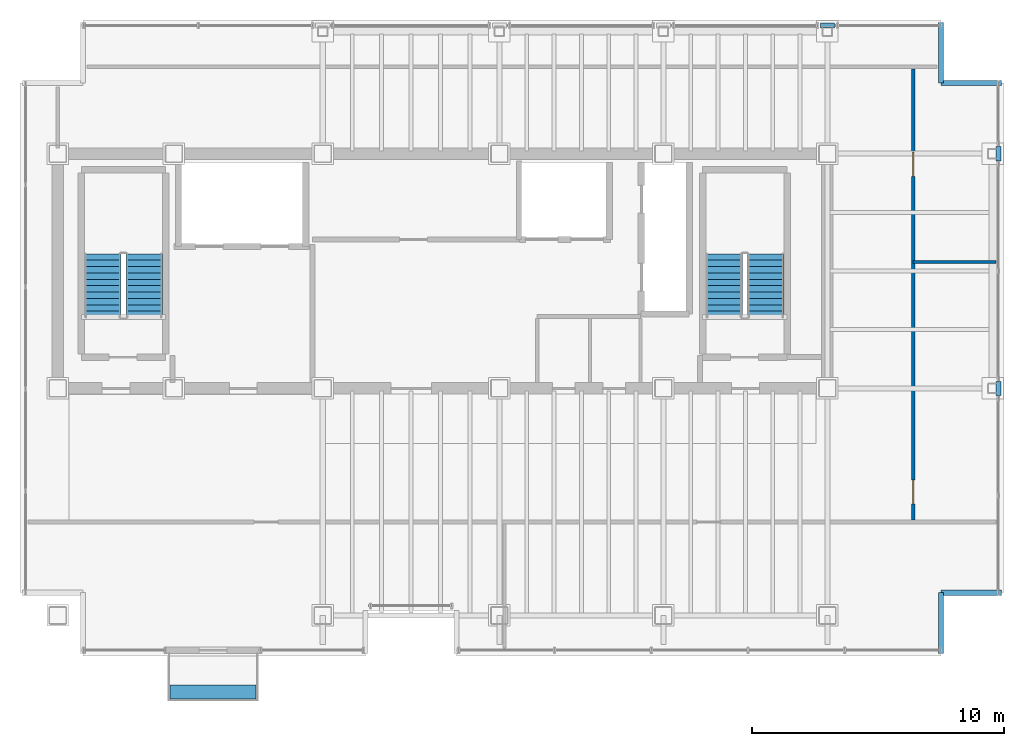
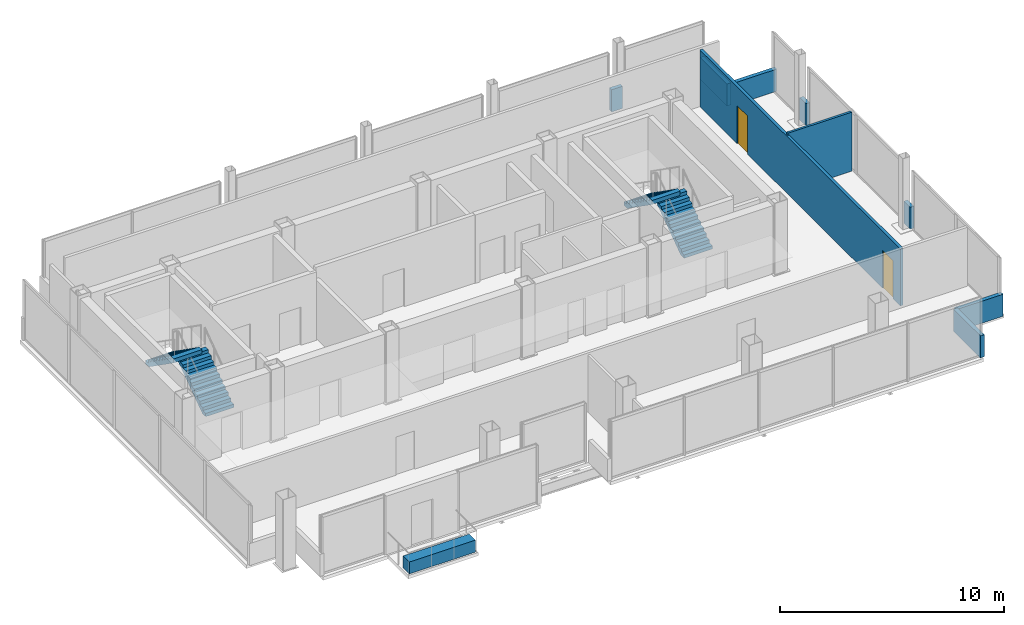
# One storey, part 16 of 17: 9 walls, 4 stair flights, 2 doors, 1 discrete accessory, 2 openings, 2 elements without a shape of their own.
"""IFC4 building model written with IfcOpenShell, lengths in metres."""

from ifc_helpers import new_model, si_unit, direction, frame, frame_2d, origin, origin_2d, place, context, subcontext, project, spatial, polyline, rectangle, outline, extrude, material, layer, layer_set, type_object, element, fill, aggregate, save


model = new_model("IFC4")

# Units and contexts
model_context = context("Model", 3, precision=1e-05, world=origin(), true_north=direction((0.0, 1.0)))
body_context = subcontext(model_context, "Body", "Model", "MODEL_VIEW")
ifc_project = project(units=[si_unit("LENGTHUNIT", "METRE"), si_unit("AREAUNIT", "SQUARE_METRE"), si_unit("VOLUMEUNIT", "CUBIC_METRE"), si_unit("PLANEANGLEUNIT", "RADIAN"), si_unit("MASSUNIT", "GRAM", prefix="KILO")], contexts=[model_context])

# Site, building, storey
site_placement = place(None, origin())
site = spatial("IfcSite", under=ifc_project, at=site_placement, CompositionType="ELEMENT")
building_placement = place(site_placement, origin())
building = spatial("IfcBuilding", under=site, at=building_placement, Name="Noeulbin Bourse Tower", CompositionType="ELEMENT")
storey_placement = place(building_placement, frame((0.0, 0.0, 285.199951171875)))
storey = spatial("IfcBuildingStorey", under=building, at=storey_placement, Name="L71", CompositionType="ELEMENT", Elevation=285.199951171875)

# Walls
ifc_material_1 = material(Name="Concrete C40/50", Category="concrete")
ifc_layer_1 = layer(ifc_material_1, 0.199951171875)
ifc_layer_set_1 = layer_set([ifc_layer_1], Name="Concrete C40/50")
wall_type_1 = type_object("IfcWallType", Name="WAL-PAR-200", PredefinedType="PARAPET", material=ifc_layer_set_1)
for number, where, z_axis, x_axis, name in (
    (1, (43.719970703125, 43.3798828125, 0.0), (0.0, 0.0, 1.0), (1.0, 0.0, 0.0), "Perimeter Pier Spandrel Parapet L71-N4"),
    (2, (50.780029296875, 28.719970703125, 0.0), (0.0, 0.0, 1.0), (0.0, 1.0, 0.0), "Perimeter Pier Spandrel Parapet L71-E5"),
    (3, (50.780029296875, 38.02001953125, 0.0), (0.0, 0.0, 1.0), (0.0, 1.0, 0.0), "Perimeter Pier Spandrel Parapet L71-E6"),
):
    element("IfcWall", number, at=place(storey_placement, frame(where, z_axis=z_axis, x_axis=x_axis)), inside=storey, type_object=wall_type_1, Name=name, PredefinedType="PARAPET", context=body_context, shape_type="SweptSolid", body=[
        extrude(rectangle(XDim=0.56005859375, YDim=0.199951171875, at=frame_2d((0.280029296875, 0.0))), origin(), (0.0, 0.0, 1.0), 1.199951171875),
    ])
for number, where, z_axis, x_axis, name in (
    (4, (48.5, 18.5, 0.0), (0.0, 0.0, 1.0), (0.0, 1.0, 0.0), "Corner Notch Parapet L71-SE1"),
    (5, (48.5, 20.89990234375, 0.0), (0.0, 0.0, 1.0), (1.0, 0.0, 0.0), "Corner Notch Parapet L71-SE2"),
    (6, (48.5, 43.5, 0.0), (0.0, 0.0, 1.0), (0.0, -1.0, 0.0), "Corner Notch Parapet L71-NE1"),
    (7, (48.5, 41.10009765625, 0.0), (0.0, 0.0, 1.0), (1.0, 0.0, 0.0), "Corner Notch Parapet L71-NE2"),
):
    element("IfcWall", number, at=place(storey_placement, frame(where, z_axis=z_axis, x_axis=x_axis)), inside=storey, type_object=wall_type_1, Name=name, PredefinedType="PARAPET", context=body_context, shape_type="SweptSolid", body=[
        extrude(rectangle(XDim=2.39990234375, YDim=0.199951171875, at=frame_2d((1.199951171875, 0.0))), origin(), (0.0, 0.0, 1.0), 1.199951171875),
    ])
ifc_material_2 = material(Name="Steel Stud Gypsum Partition", Category="steel")
ifc_layer_2 = layer(ifc_material_2, 0.1201171875)
ifc_layer_set_2 = layer_set([ifc_layer_2], Name="Steel Stud Gypsum Partition")
wall_type_2 = type_object("IfcWallType", Name="WAL-PRT-120", PredefinedType="PARTITIONING", material=ifc_layer_set_2)
wall_1_placement = place(storey_placement, frame((47.39990234375, 34.0, 0.0), z_axis=(0.0, 0.0, 1.0), x_axis=(1.0, 0.0, 0.0)))
element("IfcWall", 8, at=wall_1_placement, inside=storey, type_object=wall_type_2, Name="Interior Partition Wall L71-05", PredefinedType="PARTITIONING", context=body_context, shape_type="SweptSolid", body=[
    extrude(rectangle(XDim=3.2900390625, YDim=0.1201171875, at=frame_2d((1.64501953125, 0.0))), origin(), (0.0, 0.0, 1.0), 3.212158203125),
])

# Wall, openings, doors
ifc_material_3 = material(Name="Steel Stud Acoustic Gypsum Board", Category="steel")
ifc_layer_3 = layer(ifc_material_3, 0.14990234375)
ifc_layer_set_3 = layer_set([ifc_layer_3], Name="Steel Stud Acoustic Gypsum Board")
wall_type_3 = type_object("IfcWallType", Name="WAL-PRT-150", PredefinedType="PARTITIONING", material=ifc_layer_set_3)
wall_2_placement = place(storey_placement, frame((47.39990234375, 23.784912109375, 0.0), z_axis=(0.0, 0.0, 1.0), x_axis=(0.0, 1.0, 0.0)))
wall_2 = element("IfcWall", 9, at=wall_2_placement, inside=storey, type_object=wall_type_3, Name="Interior Partition Wall L71-13", PredefinedType="PARTITIONING", context=body_context, shape_type="SweptSolid", body=[
    extrude(rectangle(XDim=17.880126953125, YDim=0.14990234375, at=frame_2d((8.93994140625, 0.0))), origin(), (0.0, 0.0, 1.0), 3.10009765625),
])
opening_1_placement = place(wall_2_placement, frame((0.639892578125, 0.0, 0.0)))
opening_1 = element("IfcOpeningElement", 10, at=opening_1_placement, cuts=wall_2, Name="Opening ID-09", PredefinedType="OPENING", context=body_context, shape_type="SweptSolid", body=[
    extrude(rectangle(XDim=0.949951171875, YDim=2.080078125, at=frame_2d((0.47509765625, 1.0400390625))), frame((0.0, 0.0849609375, 0.0), z_axis=(0.0, -1.0, 0.0), x_axis=(1.0, 0.0, 0.0)), (0.0, 0.0, 1.0), 0.169921875),
])
opening_2_placement = place(wall_2_placement, frame((13.614990234375, 0.0, 0.0)))
opening_2 = element("IfcOpeningElement", 11, at=opening_2_placement, cuts=wall_2, Name="Opening ID-09", PredefinedType="OPENING", context=body_context, shape_type="SweptSolid", body=[
    extrude(rectangle(XDim=0.949951171875, YDim=2.080078125, at=frame_2d((0.47509765625, 1.0400390625))), frame((0.0, 0.0849609375, 0.0), z_axis=(0.0, -1.0, 0.0), x_axis=(1.0, 0.0, 0.0)), (0.0, 0.0, 1.0), 0.169921875),
])
ifc_material_4 = material(Name="Acoustic Solid-Core Timber", Category="wood")
door_type = type_object("IfcDoorType", Name="DR-SINGLE-950", OperationType="SINGLE_SWING_LEFT", PredefinedType="DOOR", material=ifc_material_4)
door_1_placement = place(opening_1_placement, origin())
door_1 = element("IfcDoor", 12, at=door_1_placement, inside=storey, type_object=door_type, Name="Interior Door L71-10", OperationType="SINGLE_SWING_RIGHT", OverallHeight=2.080078125, OverallWidth=0.949951171875, PredefinedType="DOOR", context=body_context, shape_type="SweptSolid", body=[
    extrude(rectangle(XDim=0.949951171875, YDim=2.080078125, at=frame_2d((0.47509765625, 1.0400390625))), frame((0.0, 0.02490234375, 0.0), z_axis=(0.0, -1.0, 0.0), x_axis=(1.0, 0.0, 0.0)), (0.0, 0.0, 1.0), 0.050048828125),
])
fill(opening_1, door_1)
door_2_placement = place(opening_2_placement, origin())
door_2 = element("IfcDoor", 13, at=door_2_placement, inside=storey, type_object=door_type, Name="Interior Door L71-11", OperationType="SINGLE_SWING_LEFT", OverallHeight=2.080078125, OverallWidth=0.949951171875, PredefinedType="DOOR", context=body_context, shape_type="SweptSolid", body=[
    extrude(rectangle(XDim=0.949951171875, YDim=2.080078125, at=frame_2d((0.47509765625, 1.0400390625))), frame((0.0, 0.02490234375, 0.0), z_axis=(0.0, -1.0, 0.0), x_axis=(1.0, 0.0, 0.0)), (0.0, 0.0, 1.0), 0.050048828125),
])
fill(opening_2, door_2)

# Stair, stair flights
stair_type = type_object("IfcStairType", Name="STR-CORE-1560", PredefinedType="HALF_TURN_STAIR", material=ifc_material_1)
stair_1_placement = place(storey_placement, origin())
stair_1 = element("IfcStair", 14, at=stair_1_placement, inside=storey, type_object=stair_type, Name="L71 ST-1", PredefinedType="HALF_TURN_STAIR")
stair_flight_type = type_object("IfcStairFlightType", Name="SFL-CORE-1560", PredefinedType="STRAIGHT", material=ifc_material_1)
stair_flight_1_placement = place(storey_placement, frame((16.925048828125, 31.81005859375, 0.0), z_axis=(0.0, 0.0, 1.0), x_axis=(0.0, 1.0, 0.0)))
stair_flight_1 = element("IfcStairFlight", 15, at=stair_flight_1_placement, type_object=stair_flight_type, Name="ST-1 flight 1", NumberOfRisers=11, NumberOfTreads=10, PredefinedType="STRAIGHT", RiserHeight=0.177272727, TreadLength=0.252, context=body_context, shape_type="SweptSolid", body=[
    extrude(outline(polyline([(0.0, 0.0), (0.0, 0.17724609375), (0.251953125, 0.17724609375), (0.251953125, 0.3544921875), (0.50390625, 0.3544921875), (0.50390625, 0.53173828125), (0.756103515625, 0.53173828125), (0.756103515625, 0.708984375), (1.008056640625, 0.708984375), (1.008056640625, 0.886474609375), (1.260009765625, 0.886474609375), (1.260009765625, 1.063720703125), (1.511962890625, 1.063720703125), (1.511962890625, 1.240966796875), (1.763916015625, 1.240966796875), (1.763916015625, 1.418212890625), (2.01611328125, 1.418212890625), (2.01611328125, 1.595458984375), (2.26806640625, 1.595458984375), (2.26806640625, 1.772705078125), (2.52001953125, 1.772705078125), (2.52001953125, 1.949951171875), (2.52001953125, 1.552734375), (0.312744140625, 0.0), (0.0, 0.0)])), frame((0.0, 0.72509765625, 0.0), z_axis=(0.0, -1.0, 0.0), x_axis=(1.0, 0.0, 0.0)), (0.0, 0.0, 1.0), 1.449951171875),
])
stair_flight_2_placement = place(storey_placement, frame((15.27490234375, 34.330078125, 1.949951171875), z_axis=(0.0, 0.0, 1.0), x_axis=(0.0, -1.0, 0.0)))
stair_flight_2 = element("IfcStairFlight", 16, at=stair_flight_2_placement, type_object=stair_flight_type, Name="ST-1 flight 2", NumberOfRisers=11, NumberOfTreads=10, PredefinedType="STRAIGHT", RiserHeight=0.177272727, TreadLength=0.252, context=body_context, shape_type="SweptSolid", body=[
    extrude(outline(polyline([(0.0, 0.0), (0.0, 0.17724609375), (0.251953125, 0.17724609375), (0.251953125, 0.3544921875), (0.50390625, 0.3544921875), (0.50390625, 0.53173828125), (0.756103515625, 0.53173828125), (0.756103515625, 0.708984375), (1.008056640625, 0.708984375), (1.008056640625, 0.886474609375), (1.260009765625, 0.886474609375), (1.260009765625, 1.063720703125), (1.511962890625, 1.063720703125), (1.511962890625, 1.240966796875), (1.763916015625, 1.240966796875), (1.763916015625, 1.418212890625), (2.01611328125, 1.418212890625), (2.01611328125, 1.595458984375), (2.26806640625, 1.595458984375), (2.26806640625, 1.772705078125), (2.52001953125, 1.772705078125), (2.52001953125, 1.949951171875), (2.52001953125, 1.552734375), (0.312744140625, 0.0), (0.0, 0.0)])), frame((0.0, 0.72509765625, 0.0), z_axis=(0.0, -1.0, 0.0), x_axis=(1.0, 0.0, 0.0)), (0.0, 0.0, 1.0), 1.449951171875),
])
aggregate(stair_1, [stair_flight_1, stair_flight_2])

stair_2_placement = place(storey_placement, origin())
stair_2 = element("IfcStair", 17, at=stair_2_placement, inside=storey, type_object=stair_type, Name="L71 ST-2", PredefinedType="HALF_TURN_STAIR")
stair_flight_3_placement = place(storey_placement, frame((41.554931640625, 31.81005859375, 0.0), z_axis=(0.0, 0.0, 1.0), x_axis=(0.0, 1.0, 0.0)))
stair_flight_3 = element("IfcStairFlight", 18, at=stair_flight_3_placement, type_object=stair_flight_type, Name="ST-2 flight 1", NumberOfRisers=11, NumberOfTreads=10, PredefinedType="STRAIGHT", RiserHeight=0.177272727, TreadLength=0.252, context=body_context, shape_type="SweptSolid", body=[
    extrude(outline(polyline([(0.0, 0.0), (0.0, 0.17724609375), (0.251953125, 0.17724609375), (0.251953125, 0.3544921875), (0.50390625, 0.3544921875), (0.50390625, 0.53173828125), (0.756103515625, 0.53173828125), (0.756103515625, 0.708984375), (1.008056640625, 0.708984375), (1.008056640625, 0.886474609375), (1.260009765625, 0.886474609375), (1.260009765625, 1.063720703125), (1.511962890625, 1.063720703125), (1.511962890625, 1.240966796875), (1.763916015625, 1.240966796875), (1.763916015625, 1.418212890625), (2.01611328125, 1.418212890625), (2.01611328125, 1.595458984375), (2.26806640625, 1.595458984375), (2.26806640625, 1.772705078125), (2.52001953125, 1.772705078125), (2.52001953125, 1.949951171875), (2.52001953125, 1.552734375), (0.312744140625, 0.0), (0.0, 0.0)])), frame((0.0, 0.72509765625, 0.0), z_axis=(0.0, -1.0, 0.0), x_axis=(1.0, 0.0, 0.0)), (0.0, 0.0, 1.0), 1.449951171875),
])
stair_flight_4_placement = place(storey_placement, frame((39.905029296875, 34.330078125, 1.949951171875), z_axis=(0.0, 0.0, 1.0), x_axis=(0.0, -1.0, 0.0)))
stair_flight_4 = element("IfcStairFlight", 19, at=stair_flight_4_placement, type_object=stair_flight_type, Name="ST-2 flight 2", NumberOfRisers=11, NumberOfTreads=10, PredefinedType="STRAIGHT", RiserHeight=0.177272727, TreadLength=0.252, context=body_context, shape_type="SweptSolid", body=[
    extrude(outline(polyline([(0.0, 0.0), (0.0, 0.17724609375), (0.251953125, 0.17724609375), (0.251953125, 0.3544921875), (0.50390625, 0.3544921875), (0.50390625, 0.53173828125), (0.756103515625, 0.53173828125), (0.756103515625, 0.708984375), (1.008056640625, 0.708984375), (1.008056640625, 0.886474609375), (1.260009765625, 0.886474609375), (1.260009765625, 1.063720703125), (1.511962890625, 1.063720703125), (1.511962890625, 1.240966796875), (1.763916015625, 1.240966796875), (1.763916015625, 1.418212890625), (2.01611328125, 1.418212890625), (2.01611328125, 1.595458984375), (2.26806640625, 1.595458984375), (2.26806640625, 1.772705078125), (2.52001953125, 1.772705078125), (2.52001953125, 1.949951171875), (2.52001953125, 1.552734375), (0.312744140625, 0.0), (0.0, 0.0)])), frame((0.0, 0.72509765625, 0.0), z_axis=(0.0, -1.0, 0.0), x_axis=(1.0, 0.0, 0.0)), (0.0, 0.0, 1.0), 1.449951171875),
])
aggregate(stair_2, [stair_flight_3, stair_flight_4])

# Discrete accessory
ifc_material_5 = material(Name="Architectural GFRC Concrete C40/50", Category="concrete")
ifc_layer_4 = layer(ifc_material_5, 0.64990234375)
ifc_layer_set_4 = layer_set([ifc_layer_4], Name="Architectural GFRC Concrete C40/50")
discrete_accessory_type = type_object("IfcDiscreteAccessoryType", Name="PLANTER-BOX-3600", PredefinedType="USERDEFINED", material=ifc_layer_set_4)
discrete_accessory_placement = place(storey_placement, frame((19.64990234375, 16.9599609375, 0.0), z_axis=(0.0, 0.0, 1.0), x_axis=(1.0, 0.0, 0.0)))
element("IfcDiscreteAccessory", 20, at=discrete_accessory_placement, inside=storey, type_object=discrete_accessory_type, Name="Integrated Balcony Tree Planter Box L71", ObjectType="PLANTER", PredefinedType="USERDEFINED", context=body_context, shape_type="SweptSolid", body=[
    extrude(rectangle(XDim=3.39990234375, YDim=0.550048828125, at=origin_2d()), origin(), (0.0, 0.0, 1.0), 0.64990234375),
])

save(model, "model.ifc")
